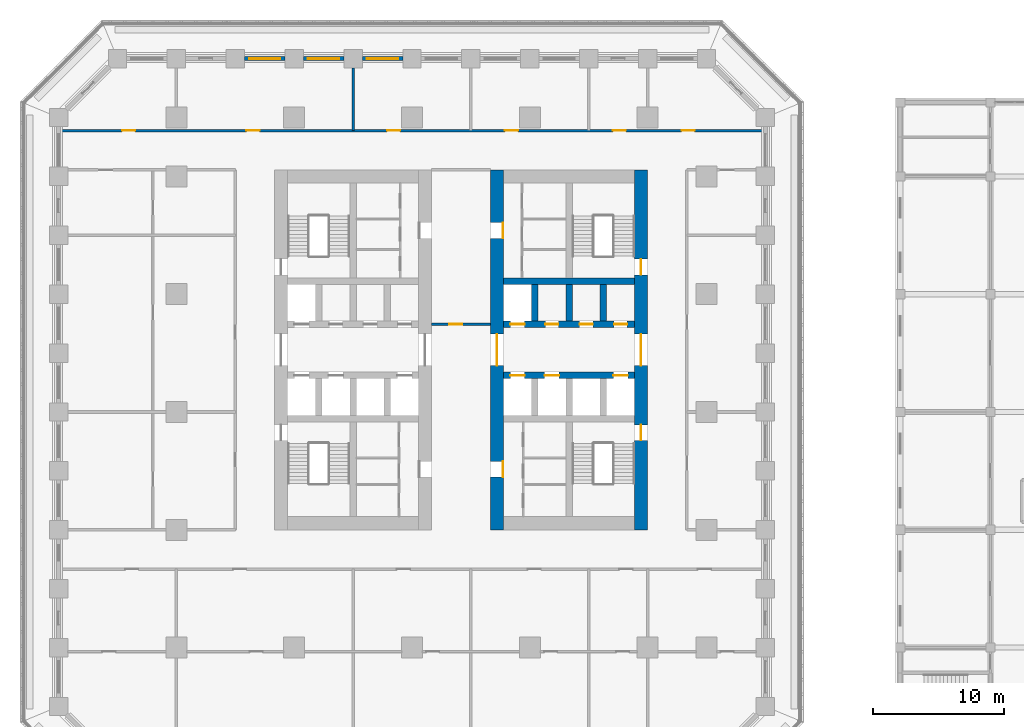
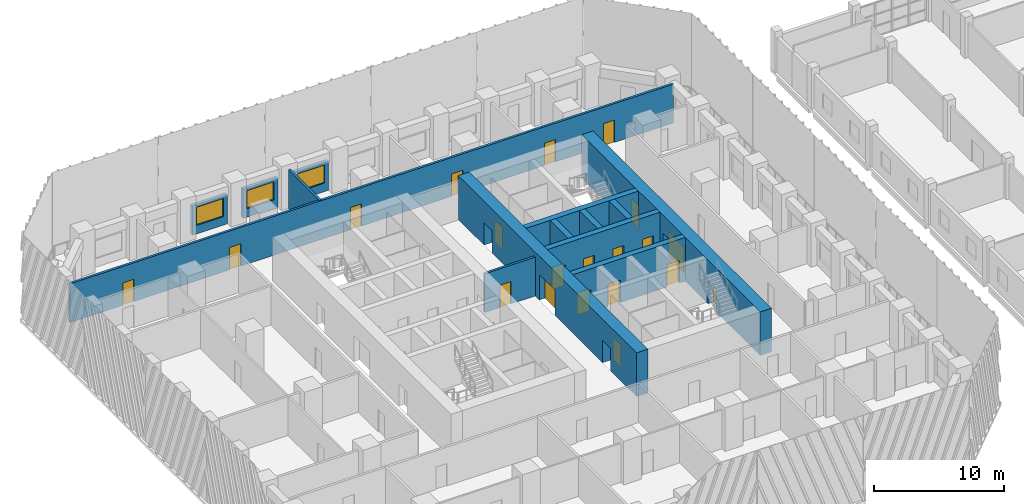
# One storey, part 15 of 31: 20 doors, 14 walls, 3 windows, 23 openings.
"""IFC4 building model written with IfcOpenShell, lengths in metres."""

from ifc_helpers import new_model, si_unit, direction, frame, frame_2d, origin, place, context, subcontext, project, spatial, rectangle, extrude, material, layer, layer_set, type_object, element, fill, save


model = new_model("IFC4")

# Units and contexts
model_context = context("Model", 3, precision=1e-05, world=origin(), true_north=direction((0.0, 1.0)))
body_context = subcontext(model_context, "Body", "Model", "MODEL_VIEW")
ifc_project = project(units=[si_unit("LENGTHUNIT", "METRE"), si_unit("AREAUNIT", "SQUARE_METRE"), si_unit("VOLUMEUNIT", "CUBIC_METRE"), si_unit("PLANEANGLEUNIT", "RADIAN"), si_unit("MASSUNIT", "GRAM", prefix="KILO")], contexts=[model_context])

# Site, building, storey
site_placement = place(None, origin())
site = spatial("IfcSite", under=ifc_project, at=site_placement, CompositionType="ELEMENT")
building_placement = place(site_placement, origin())
building = spatial("IfcBuilding", under=site, at=building_placement, Name="Corbel Stack Research Tower", CompositionType="ELEMENT")
storey_placement = place(building_placement, frame((0.0, 0.0, 15.39990234375)))
storey = spatial("IfcBuildingStorey", under=building, at=storey_placement, Name="L03", CompositionType="ELEMENT", Elevation=15.39990234375)

# Wall, openings, doors
ifc_material_1 = material(Name="Concrete C70/85", Category="concrete")
ifc_layer_1 = layer(ifc_material_1, 1.0)
ifc_layer_set_1 = layer_set([ifc_layer_1], Name="Concrete C70/85")
wall_type_1 = type_object("IfcWallType", Name="CW-1000-70", PredefinedType="SHEAR", material=ifc_layer_set_1)
wall_1_placement = place(storey_placement, frame((6.5, -9.0, 0.0), z_axis=(0.0, 0.0, 1.0), x_axis=(0.0, 1.0, 0.0)))
wall_1 = element("IfcWall", 1, at=wall_1_placement, inside=storey, type_object=wall_type_1, Name="East core wall, west face L03", PredefinedType="SHEAR", context=body_context, shape_type="SweptSolid", body=[
    extrude(rectangle(XDim=27.5, YDim=1.0, at=frame_2d((13.75, 0.0))), origin(), (0.0, 0.0, 1.0), 4.10009765625),
])
opening_1_placement = place(wall_1_placement, frame((12.550048828125, 0.0, 0.0)))
opening_1 = element("IfcOpeningElement", 2, at=opening_1_placement, cuts=wall_1, Name="Opening CD-E-W", PredefinedType="OPENING", context=body_context, shape_type="SweptSolid", body=[
    extrude(rectangle(XDim=2.39990234375, YDim=2.39990234375, at=frame_2d((1.199951171875, 1.199951171875))), frame((0.0, 0.510009765625, 0.0), z_axis=(0.0, -1.0, 0.0), x_axis=(1.0, 0.0, 0.0)), (0.0, 0.0, 1.0), 1.02001953125),
])
opening_2_placement = place(wall_1_placement, frame((4.02490234375, 0.0, 0.0)))
opening_2 = element("IfcOpeningElement", 3, at=opening_2_placement, cuts=wall_1, Name="Opening CR-E12-W1-1200", PredefinedType="OPENING", context=body_context, shape_type="SweptSolid", body=[
    extrude(rectangle(XDim=1.199951171875, YDim=2.10009765625, at=frame_2d((0.60009765625, 1.050048828125))), frame((0.0, 0.510009765625, 0.0), z_axis=(0.0, -1.0, 0.0), x_axis=(1.0, 0.0, 0.0)), (0.0, 0.0, 1.0), 1.02001953125),
])
opening_3_placement = place(wall_1_placement, frame((22.27490234375, 0.0, 0.0)))
opening_3 = element("IfcOpeningElement", 4, at=opening_3_placement, cuts=wall_1, Name="Opening CR-E12-R1-1200", PredefinedType="OPENING", context=body_context, shape_type="SweptSolid", body=[
    extrude(rectangle(XDim=1.199951171875, YDim=2.10009765625, at=frame_2d((0.60009765625, 1.050048828125))), frame((0.0, 0.510009765625, 0.0), z_axis=(0.0, -1.0, 0.0), x_axis=(1.0, 0.0, 0.0)), (0.0, 0.0, 1.0), 1.02001953125),
])
ifc_material_2 = material(Name="Painted steel fire door", Category="steel")
door_type_1 = type_object("IfcDoorType", Name="Lobby door pair 2400 x 2400 FD30S", OperationType="DOUBLE_DOOR_DOUBLE_SWING", PredefinedType="DOOR", material=ifc_material_2)
door_1_placement = place(opening_1_placement, origin())
door_1 = element("IfcDoor", 5, at=door_1_placement, inside=storey, type_object=door_type_1, Name="Lift lobby door E core W", OperationType="DOUBLE_DOOR_DOUBLE_SWING", OverallHeight=2.39990234375, OverallWidth=2.39990234375, PredefinedType="DOOR", context=body_context, shape_type="SweptSolid", body=[
    extrude(rectangle(XDim=2.39990234375, YDim=2.39990234375, at=frame_2d((1.199951171875, 1.199951171875))), frame((0.0, 0.02490234375, 0.0), z_axis=(0.0, -1.0, 0.0), x_axis=(1.0, 0.0, 0.0)), (0.0, 0.0, 1.0), 0.050048828125),
])
fill(opening_1, door_1)
ifc_material_3 = material(Name="Painted steel door", Category="steel")
door_type_2 = type_object("IfcDoorType", Name="Service door 1200 x 2100 FD30 right hand", OperationType="SINGLE_SWING_RIGHT", PredefinedType="DOOR", material=ifc_material_3)
door_2_placement = place(opening_3_placement, origin())
door_2 = element("IfcDoor", 6, at=door_2_placement, inside=storey, type_object=door_type_2, Name="Service passage door E core", OperationType="SINGLE_SWING_RIGHT", OverallHeight=2.10009765625, OverallWidth=1.199951171875, PredefinedType="DOOR", context=body_context, shape_type="SweptSolid", body=[
    extrude(rectangle(XDim=1.199951171875, YDim=2.10009765625, at=frame_2d((0.60009765625, 1.050048828125))), frame((0.0, -0.4248046875, 0.0), z_axis=(0.0, -1.0, 0.0), x_axis=(1.0, 0.0, 0.0)), (0.0, 0.0, 1.0), 0.050048828125),
])
fill(opening_3, door_2)
ifc_material_4 = material(Name="Painted timber door", Category="wood")
door_type_3 = type_object("IfcDoorType", Name="WC door 1200 x 2100 right hand", OperationType="SINGLE_SWING_RIGHT", PredefinedType="DOOR", material=ifc_material_4)
door_3_placement = place(opening_2_placement, origin())
door_3 = element("IfcDoor", 7, at=door_3_placement, inside=storey, type_object=door_type_3, Name="WC lobby door E core", OperationType="SINGLE_SWING_RIGHT", OverallHeight=2.10009765625, OverallWidth=1.199951171875, PredefinedType="DOOR", context=body_context, shape_type="SweptSolid", body=[
    extrude(rectangle(XDim=1.199951171875, YDim=2.10009765625, at=frame_2d((0.60009765625, 1.050048828125))), frame((0.0, -0.4248046875, 0.0), z_axis=(0.0, -1.0, 0.0), x_axis=(1.0, 0.0, 0.0)), (0.0, 0.0, 1.0), 0.050048828125),
])
fill(opening_2, door_3)

wall_2_placement = place(storey_placement, frame((17.5, -9.0, 0.0), z_axis=(0.0, 0.0, 1.0), x_axis=(0.0, 1.0, 0.0)))
wall_2 = element("IfcWall", 8, at=wall_2_placement, inside=storey, type_object=wall_type_1, Name="East core wall, east face L03", PredefinedType="SHEAR", context=body_context, shape_type="SweptSolid", body=[
    extrude(rectangle(XDim=27.5, YDim=1.0, at=frame_2d((13.75, 0.0))), origin(), (0.0, 0.0, 1.0), 4.10009765625),
])
opening_4_placement = place(wall_2_placement, frame((12.550048828125, 0.0, 0.0)))
opening_4 = element("IfcOpeningElement", 9, at=opening_4_placement, cuts=wall_2, Name="Opening CD-E-E", PredefinedType="OPENING", context=body_context, shape_type="SweptSolid", body=[
    extrude(rectangle(XDim=2.39990234375, YDim=2.39990234375, at=frame_2d((1.199951171875, 1.199951171875))), frame((0.0, 0.510009765625, 0.0), z_axis=(0.0, -1.0, 0.0), x_axis=(1.0, 0.0, 0.0)), (0.0, 0.0, 1.0), 1.02001953125),
])
opening_5_placement = place(wall_2_placement, frame((6.824951171875, 0.0, 0.0)))
opening_5 = element("IfcOpeningElement", 10, at=opening_5_placement, cuts=wall_2, Name="Opening SD-ST-E1", PredefinedType="OPENING", context=body_context, shape_type="SweptSolid", body=[
    extrude(rectangle(XDim=1.199951171875, YDim=2.10009765625, at=frame_2d((0.60009765625, 1.050048828125))), frame((0.0, 0.510009765625, 0.0), z_axis=(0.0, -1.0, 0.0), x_axis=(1.0, 0.0, 0.0)), (0.0, 0.0, 1.0), 1.02001953125),
])
opening_6_placement = place(wall_2_placement, frame((19.47509765625, 0.0, 0.0)))
opening_6 = element("IfcOpeningElement", 11, at=opening_6_placement, cuts=wall_2, Name="Opening SD-ST-E2", PredefinedType="OPENING", context=body_context, shape_type="SweptSolid", body=[
    extrude(rectangle(XDim=1.199951171875, YDim=2.10009765625, at=frame_2d((0.60009765625, 1.050048828125))), frame((0.0, 0.510009765625, 0.0), z_axis=(0.0, -1.0, 0.0), x_axis=(1.0, 0.0, 0.0)), (0.0, 0.0, 1.0), 1.02001953125),
])
door_4_placement = place(opening_4_placement, origin())
door_4 = element("IfcDoor", 12, at=door_4_placement, inside=storey, type_object=door_type_1, Name="Lift lobby door E core E", OperationType="DOUBLE_DOOR_DOUBLE_SWING", OverallHeight=2.39990234375, OverallWidth=2.39990234375, PredefinedType="DOOR", context=body_context, shape_type="SweptSolid", body=[
    extrude(rectangle(XDim=2.39990234375, YDim=2.39990234375, at=frame_2d((1.199951171875, 1.199951171875))), frame((0.0, 0.02490234375, 0.0), z_axis=(0.0, -1.0, 0.0), x_axis=(1.0, 0.0, 0.0)), (0.0, 0.0, 1.0), 0.050048828125),
])
fill(opening_4, door_4)
ifc_material_5 = material(Name="Painted steel fire door", Category="steel")
door_type_4 = type_object("IfcDoorType", Name="Stair door 1200 x 2100 FD90 right hand", OperationType="SINGLE_SWING_RIGHT", PredefinedType="DOOR", material=ifc_material_5)
door_5_placement = place(opening_5_placement, frame((1.199951171875, 0.0, 0.0), z_axis=(0.0, 0.0, 1.0), x_axis=(-1.0, 0.0, 0.0)))
door_5 = element("IfcDoor", 13, at=door_5_placement, inside=storey, type_object=door_type_4, Name="Stair door ST-E1", OperationType="SINGLE_SWING_LEFT", OverallHeight=2.10009765625, OverallWidth=1.199951171875, PredefinedType="DOOR", context=body_context, shape_type="SweptSolid", body=[
    extrude(rectangle(XDim=1.199951171875, YDim=2.10009765625, at=frame_2d((0.60009765625, 1.050048828125))), frame((0.0, 0.02490234375, 0.0), z_axis=(0.0, -1.0, 0.0), x_axis=(1.0, 0.0, 0.0)), (0.0, 0.0, 1.0), 0.050048828125),
])
fill(opening_5, door_5)
door_6_placement = place(opening_6_placement, frame((1.199951171875, 0.0, 0.0), z_axis=(0.0, 0.0, 1.0), x_axis=(-1.0, 0.0, 0.0)))
door_6 = element("IfcDoor", 14, at=door_6_placement, inside=storey, type_object=door_type_4, Name="Stair door ST-E2", OperationType="SINGLE_SWING_LEFT", OverallHeight=2.10009765625, OverallWidth=1.199951171875, PredefinedType="DOOR", context=body_context, shape_type="SweptSolid", body=[
    extrude(rectangle(XDim=1.199951171875, YDim=2.10009765625, at=frame_2d((0.60009765625, 1.050048828125))), frame((0.0, 0.02490234375, 0.0), z_axis=(0.0, -1.0, 0.0), x_axis=(1.0, 0.0, 0.0)), (0.0, 0.0, 1.0), 0.050048828125),
])
fill(opening_6, door_6)

ifc_material_6 = material(Name="Concrete C70/85", Category="concrete")
ifc_layer_2 = layer(ifc_material_6, 0.5)
ifc_layer_set_2 = layer_set([ifc_layer_2], Name="Concrete C70/85")
wall_type_2 = type_object("IfcWallType", Name="CW-500-70", PredefinedType="SHEAR", material=ifc_layer_set_2)
wall_3_placement = place(storey_placement, frame((7.0, 2.800048828125, 0.0), z_axis=(0.0, 0.0, 1.0), x_axis=(1.0, 0.0, 0.0)))
wall_3 = element("IfcWall", 15, at=wall_3_placement, inside=storey, type_object=wall_type_2, Name="East core wall, lobby south L03", PredefinedType="SHEAR", context=body_context, shape_type="SweptSolid", body=[
    extrude(rectangle(XDim=10.0, YDim=0.5, at=frame_2d((5.0, 0.0))), origin(), (0.0, 0.0, 1.0), 4.10009765625),
])
opening_7_placement = place(wall_3_placement, frame((0.512451171875, 0.0, 0.0)))
opening_7 = element("IfcOpeningElement", 16, at=opening_7_placement, cuts=wall_3, Name="Opening LD-FS2", PredefinedType="OPENING", context=body_context, shape_type="SweptSolid", body=[
    extrude(rectangle(XDim=1.10009765625, YDim=2.10009765625, at=frame_2d((0.550048828125, 1.050048828125))), frame((0.0, 0.260009765625, 0.0), z_axis=(0.0, -1.0, 0.0), x_axis=(1.0, 0.0, 0.0)), (0.0, 0.0, 1.0), 0.52001953125),
])
opening_8_placement = place(wall_3_placement, frame((3.137451171875, 0.0, 0.0)))
opening_8 = element("IfcOpeningElement", 17, at=opening_8_placement, cuts=wall_3, Name="Opening LD-GL2", PredefinedType="OPENING", context=body_context, shape_type="SweptSolid", body=[
    extrude(rectangle(XDim=1.10009765625, YDim=2.10009765625, at=frame_2d((0.550048828125, 1.050048828125))), frame((0.0, 0.260009765625, 0.0), z_axis=(0.0, -1.0, 0.0), x_axis=(1.0, 0.0, 0.0)), (0.0, 0.0, 1.0), 0.52001953125),
])
opening_9_placement = place(wall_3_placement, frame((8.387451171875, 0.0, 0.0)))
opening_9 = element("IfcOpeningElement", 18, at=opening_9_placement, cuts=wall_3, Name="Opening LD-LR3", PredefinedType="OPENING", context=body_context, shape_type="SweptSolid", body=[
    extrude(rectangle(XDim=1.10009765625, YDim=2.10009765625, at=frame_2d((0.550048828125, 1.050048828125))), frame((0.0, 0.260009765625, 0.0), z_axis=(0.0, -1.0, 0.0), x_axis=(1.0, 0.0, 0.0)), (0.0, 0.0, 1.0), 0.52001953125),
])
ifc_material_7 = material(Name="Stainless steel landing door", Category="steel")
door_type_5 = type_object("IfcDoorType", Name="Lift landing door 1100 x 2100", OperationType="DOUBLE_DOOR_SLIDING", PredefinedType="DOOR", material=ifc_material_7)
door_7_placement = place(opening_7_placement, origin())
door_7 = element("IfcDoor", 19, at=door_7_placement, inside=storey, type_object=door_type_5, Name="Landing door FS2", OperationType="DOUBLE_DOOR_SLIDING", OverallHeight=2.10009765625, OverallWidth=1.10009765625, PredefinedType="DOOR", context=body_context, shape_type="SweptSolid", body=[
    extrude(rectangle(XDim=1.10009765625, YDim=2.10009765625, at=frame_2d((0.550048828125, 1.050048828125))), frame((0.0, 0.02490234375, 0.0), z_axis=(0.0, -1.0, 0.0), x_axis=(1.0, 0.0, 0.0)), (0.0, 0.0, 1.0), 0.050048828125),
])
fill(opening_7, door_7)
door_8_placement = place(opening_8_placement, origin())
door_8 = element("IfcDoor", 20, at=door_8_placement, inside=storey, type_object=door_type_5, Name="Landing door GL2", OperationType="DOUBLE_DOOR_SLIDING", OverallHeight=2.10009765625, OverallWidth=1.10009765625, PredefinedType="DOOR", context=body_context, shape_type="SweptSolid", body=[
    extrude(rectangle(XDim=1.10009765625, YDim=2.10009765625, at=frame_2d((0.550048828125, 1.050048828125))), frame((0.0, 0.02490234375, 0.0), z_axis=(0.0, -1.0, 0.0), x_axis=(1.0, 0.0, 0.0)), (0.0, 0.0, 1.0), 0.050048828125),
])
fill(opening_8, door_8)
door_9_placement = place(opening_9_placement, origin())
door_9 = element("IfcDoor", 21, at=door_9_placement, inside=storey, type_object=door_type_5, Name="Landing door LR3", OperationType="DOUBLE_DOOR_SLIDING", OverallHeight=2.10009765625, OverallWidth=1.10009765625, PredefinedType="DOOR", context=body_context, shape_type="SweptSolid", body=[
    extrude(rectangle(XDim=1.10009765625, YDim=2.10009765625, at=frame_2d((0.550048828125, 1.050048828125))), frame((0.0, 0.02490234375, 0.0), z_axis=(0.0, -1.0, 0.0), x_axis=(1.0, 0.0, 0.0)), (0.0, 0.0, 1.0), 0.050048828125),
])
fill(opening_9, door_9)

wall_4_placement = place(storey_placement, frame((7.0, 6.699951171875, 0.0), z_axis=(0.0, 0.0, 1.0), x_axis=(1.0, 0.0, 0.0)))
wall_4 = element("IfcWall", 22, at=wall_4_placement, inside=storey, type_object=wall_type_2, Name="East core wall, lobby north L03", PredefinedType="SHEAR", context=body_context, shape_type="SweptSolid", body=[
    extrude(rectangle(XDim=10.0, YDim=0.5, at=frame_2d((5.0, 0.0))), origin(), (0.0, 0.0, 1.0), 4.10009765625),
])
opening_10_placement = place(wall_4_placement, frame((0.512451171875, 0.0, 0.0)))
opening_10 = element("IfcOpeningElement", 23, at=opening_10_placement, cuts=wall_4, Name="Opening LD-LR4", PredefinedType="OPENING", context=body_context, shape_type="SweptSolid", body=[
    extrude(rectangle(XDim=1.10009765625, YDim=2.10009765625, at=frame_2d((0.550048828125, 1.050048828125))), frame((0.0, 0.260009765625, 0.0), z_axis=(0.0, -1.0, 0.0), x_axis=(1.0, 0.0, 0.0)), (0.0, 0.0, 1.0), 0.52001953125),
])
opening_11_placement = place(wall_4_placement, frame((3.1875, 0.0, 0.0)))
opening_11 = element("IfcOpeningElement", 24, at=opening_11_placement, cuts=wall_4, Name="Opening CR-E12-N2", PredefinedType="OPENING", context=body_context, shape_type="SweptSolid", body=[
    extrude(rectangle(XDim=1.0, YDim=2.10009765625, at=frame_2d((0.5, 1.050048828125))), frame((0.0, 0.260009765625, 0.0), z_axis=(0.0, -1.0, 0.0), x_axis=(1.0, 0.0, 0.0)), (0.0, 0.0, 1.0), 0.52001953125),
])
opening_12_placement = place(wall_4_placement, frame((5.8125, 0.0, 0.0)))
opening_12 = element("IfcOpeningElement", 25, at=opening_12_placement, cuts=wall_4, Name="Opening CR-E12-N3", PredefinedType="OPENING", context=body_context, shape_type="SweptSolid", body=[
    extrude(rectangle(XDim=1.0, YDim=2.10009765625, at=frame_2d((0.5, 1.050048828125))), frame((0.0, 0.260009765625, 0.0), z_axis=(0.0, -1.0, 0.0), x_axis=(1.0, 0.0, 0.0)), (0.0, 0.0, 1.0), 0.52001953125),
])
opening_13_placement = place(wall_4_placement, frame((8.4375, 0.0, 0.0)))
opening_13 = element("IfcOpeningElement", 26, at=opening_13_placement, cuts=wall_4, Name="Opening CR-E12-N4", PredefinedType="OPENING", context=body_context, shape_type="SweptSolid", body=[
    extrude(rectangle(XDim=1.0, YDim=2.10009765625, at=frame_2d((0.5, 1.050048828125))), frame((0.0, 0.260009765625, 0.0), z_axis=(0.0, -1.0, 0.0), x_axis=(1.0, 0.0, 0.0)), (0.0, 0.0, 1.0), 0.52001953125),
])
door_10_placement = place(opening_10_placement, origin())
door_10 = element("IfcDoor", 27, at=door_10_placement, inside=storey, type_object=door_type_5, Name="Landing door LR4", OperationType="DOUBLE_DOOR_SLIDING", OverallHeight=2.10009765625, OverallWidth=1.10009765625, PredefinedType="DOOR", context=body_context, shape_type="SweptSolid", body=[
    extrude(rectangle(XDim=1.10009765625, YDim=2.10009765625, at=frame_2d((0.550048828125, 1.050048828125))), frame((0.0, 0.02490234375, 0.0), z_axis=(0.0, -1.0, 0.0), x_axis=(1.0, 0.0, 0.0)), (0.0, 0.0, 1.0), 0.050048828125),
])
fill(opening_10, door_10)
ifc_material_8 = material(Name="Painted steel door", Category="steel")
door_type_6 = type_object("IfcDoorType", Name="Service door 1000 x 2100 FD60 left hand", OperationType="SINGLE_SWING_LEFT", PredefinedType="DOOR", material=ifc_material_8)
door_11_placement = place(opening_12_placement, origin())
door_11 = element("IfcDoor", 28, at=door_11_placement, inside=storey, type_object=door_type_6, Name="Electrical room door E core", OperationType="SINGLE_SWING_LEFT", OverallHeight=2.10009765625, OverallWidth=1.0, PredefinedType="DOOR", context=body_context, shape_type="SweptSolid", body=[
    extrude(rectangle(XDim=1.0, YDim=2.10009765625, at=frame_2d((0.5, 1.050048828125))), frame((0.0, 0.02490234375, 0.0), z_axis=(0.0, -1.0, 0.0), x_axis=(1.0, 0.0, 0.0)), (0.0, 0.0, 1.0), 0.050048828125),
])
fill(opening_12, door_11)
ifc_material_9 = material(Name="Painted steel door", Category="steel")
door_type_7 = type_object("IfcDoorType", Name="Service door 1000 x 2100 FD60 right hand", OperationType="SINGLE_SWING_RIGHT", PredefinedType="DOOR", material=ifc_material_9)
door_12_placement = place(opening_11_placement, origin())
door_12 = element("IfcDoor", 29, at=door_12_placement, inside=storey, type_object=door_type_7, Name="Records store door E core", OperationType="SINGLE_SWING_RIGHT", OverallHeight=2.10009765625, OverallWidth=1.0, PredefinedType="DOOR", context=body_context, shape_type="SweptSolid", body=[
    extrude(rectangle(XDim=1.0, YDim=2.10009765625, at=frame_2d((0.5, 1.050048828125))), frame((0.0, 0.02490234375, 0.0), z_axis=(0.0, -1.0, 0.0), x_axis=(1.0, 0.0, 0.0)), (0.0, 0.0, 1.0), 0.050048828125),
])
fill(opening_11, door_12)
door_13_placement = place(opening_13_placement, origin())
door_13 = element("IfcDoor", 30, at=door_13_placement, inside=storey, type_object=door_type_7, Name="Pantry door E core", OperationType="SINGLE_SWING_RIGHT", OverallHeight=2.10009765625, OverallWidth=1.0, PredefinedType="DOOR", context=body_context, shape_type="SweptSolid", body=[
    extrude(rectangle(XDim=1.0, YDim=2.10009765625, at=frame_2d((0.5, 1.050048828125))), frame((0.0, 0.02490234375, 0.0), z_axis=(0.0, -1.0, 0.0), x_axis=(1.0, 0.0, 0.0)), (0.0, 0.0, 1.0), 0.050048828125),
])
fill(opening_13, door_13)

# Walls
wall_5_placement = place(storey_placement, frame((7.0, 10.0, 0.0), z_axis=(0.0, 0.0, 1.0), x_axis=(1.0, 0.0, 0.0)))
element("IfcWall", 31, at=wall_5_placement, inside=storey, type_object=wall_type_2, Name="East core wall, north row back L03", PredefinedType="SHEAR", context=body_context, shape_type="SweptSolid", body=[
    extrude(rectangle(XDim=10.0, YDim=0.5, at=frame_2d((5.0, 0.0))), origin(), (0.0, 0.0, 1.0), 4.10009765625),
])
for number, where, z_axis, x_axis, name in (
    (32, (9.375, 6.949951171875, 0.0), (0.0, 0.0, 1.0), (0.0, 1.0, 0.0), "East core wall, north shaft 1 L03"),
    (33, (12.0, 6.949951171875, 0.0), (0.0, 0.0, 1.0), (0.0, 1.0, 0.0), "East core wall, north shaft 2 L03"),
    (34, (14.625, 6.949951171875, 0.0), (0.0, 0.0, 1.0), (0.0, 1.0, 0.0), "East core wall, north shaft 3 L03"),
):
    element("IfcWall", number, at=place(storey_placement, frame(where, z_axis=z_axis, x_axis=x_axis)), inside=storey, type_object=wall_type_2, Name=name, PredefinedType="SHEAR", context=body_context, shape_type="SweptSolid", body=[
        extrude(rectangle(XDim=2.800048828125, YDim=0.5, at=frame_2d((1.39990234375, 0.0))), origin(), (0.0, 0.0, 1.0), 4.10009765625),
    ])
ifc_material_10 = material(Name="Fire-rated gypsum board partition on steel studs", Category="steel")
ifc_layer_3 = layer(ifc_material_10, 0.199951171875)
ifc_layer_set_3 = layer_set([ifc_layer_3], Name="Fire-rated gypsum board partition on steel studs")
wall_type_3 = type_object("IfcWallType", Name="Fire-rated partition 200 EI 60", PredefinedType="PARTITIONING", material=ifc_layer_set_3)
wall_6_placement = place(storey_placement, frame((-4.5, 21.5, 0.0), z_axis=(0.0, 0.0, 1.0), x_axis=(0.0, 1.0, 0.0)))
element("IfcWall", 35, at=wall_6_placement, inside=storey, type_object=wall_type_3, Name="Partition L03-007", PredefinedType="PARTITIONING", context=body_context, shape_type="SweptSolid", body=[
    extrude(rectangle(XDim=4.800048828125, YDim=0.199951171875, at=frame_2d((2.39990234375, 0.0))), origin(), (0.0, 0.0, 1.0), 3.650146484375),
])

# Wall, opening, door
wall_7_placement = place(storey_placement, frame((1.5, 6.699951171875, 0.0), z_axis=(0.0, 0.0, 1.0), x_axis=(1.0, 0.0, 0.0)))
wall_7 = element("IfcWall", 36, at=wall_7_placement, inside=storey, type_object=wall_type_3, Name="Partition L03-032", PredefinedType="PARTITIONING", context=body_context, shape_type="SweptSolid", body=[
    extrude(rectangle(XDim=4.5, YDim=0.199951171875, at=frame_2d((2.25, 0.0))), origin(), (0.0, 0.0, 1.0), 3.650146484375),
])
opening_14_placement = place(wall_7_placement, frame((1.35009765625, 0.0, 0.0)))
opening_14 = element("IfcOpeningElement", 37, at=opening_14_placement, cuts=wall_7, Name="Opening B1V0-018", PredefinedType="OPENING", context=body_context, shape_type="SweptSolid", body=[
    extrude(rectangle(XDim=1.0, YDim=2.10009765625, at=frame_2d((0.5, 1.050048828125))), frame((0.0, 0.10986328125, 0.0), z_axis=(0.0, -1.0, 0.0), x_axis=(1.0, 0.0, 0.0)), (0.0, 0.0, 1.0), 0.219970703125),
])
ifc_material_11 = material(Name="Painted steel fire door", Category="steel")
door_type_8 = type_object("IfcDoorType", Name="Fire door FD30S 1000 x 2100", OperationType="NOTDEFINED", PredefinedType="DOOR", material=ifc_material_11)
door_14_placement = place(opening_14_placement, origin())
door_14 = element("IfcDoor", 38, at=door_14_placement, inside=storey, type_object=door_type_8, Name="Door B1V0-018", OperationType="SINGLE_SWING_LEFT", OverallHeight=2.10009765625, OverallWidth=1.0, PredefinedType="DOOR", context=body_context, shape_type="SweptSolid", body=[
    extrude(rectangle(XDim=1.0, YDim=2.10009765625, at=frame_2d((0.5, 1.050048828125))), frame((0.0, 0.02490234375, 0.0), z_axis=(0.0, -1.0, 0.0), x_axis=(1.0, 0.0, 0.0)), (0.0, 0.0, 1.0), 0.050048828125),
])
fill(opening_14, door_14)

# Wall, openings, doors
wall_8_placement = place(storey_placement, frame((-26.85009765625, 21.5, 0.0), z_axis=(0.0, 0.0, 1.0), x_axis=(1.0, 0.0, 0.0)))
wall_8 = element("IfcWall", 39, at=wall_8_placement, inside=storey, type_object=wall_type_3, Name="Partition L03-040", PredefinedType="PARTITIONING", context=body_context, shape_type="SweptSolid", body=[
    extrude(rectangle(XDim=53.7001953125, YDim=0.199951171875, at=frame_2d((26.85009765625, 0.0))), origin(), (0.0, 0.0, 1.0), 3.650146484375),
])
opening_15_placement = place(wall_8_placement, frame((4.699951171875, 0.0, 0.0)))
opening_15 = element("IfcOpeningElement", 40, at=opening_15_placement, cuts=wall_8, Name="Opening B1V0-023", PredefinedType="OPENING", context=body_context, shape_type="SweptSolid", body=[
    extrude(rectangle(XDim=1.0, YDim=2.10009765625, at=frame_2d((0.5, 1.050048828125))), frame((0.0, 0.10986328125, 0.0), z_axis=(0.0, -1.0, 0.0), x_axis=(1.0, 0.0, 0.0)), (0.0, 0.0, 1.0), 0.219970703125),
])
opening_16_placement = place(wall_8_placement, frame((14.199951171875, 0.0, 0.0)))
opening_16 = element("IfcOpeningElement", 41, at=opening_16_placement, cuts=wall_8, Name="Opening B1V0-024", PredefinedType="OPENING", context=body_context, shape_type="SweptSolid", body=[
    extrude(rectangle(XDim=1.0, YDim=2.10009765625, at=frame_2d((0.5, 1.050048828125))), frame((0.0, 0.10986328125, 0.0), z_axis=(0.0, -1.0, 0.0), x_axis=(1.0, 0.0, 0.0)), (0.0, 0.0, 1.0), 0.219970703125),
])
opening_17_placement = place(wall_8_placement, frame((24.949951171875, 0.0, 0.0)))
opening_17 = element("IfcOpeningElement", 42, at=opening_17_placement, cuts=wall_8, Name="Opening B1V0-025", PredefinedType="OPENING", context=body_context, shape_type="SweptSolid", body=[
    extrude(rectangle(XDim=1.0, YDim=2.10009765625, at=frame_2d((0.5, 1.050048828125))), frame((0.0, 0.10986328125, 0.0), z_axis=(0.0, -1.0, 0.0), x_axis=(1.0, 0.0, 0.0)), (0.0, 0.0, 1.0), 0.219970703125),
])
opening_18_placement = place(wall_8_placement, frame((33.949951171875, 0.0, 0.0)))
opening_18 = element("IfcOpeningElement", 43, at=opening_18_placement, cuts=wall_8, Name="Opening B1V0-026", PredefinedType="OPENING", context=body_context, shape_type="SweptSolid", body=[
    extrude(rectangle(XDim=1.0, YDim=2.10009765625, at=frame_2d((0.5, 1.050048828125))), frame((0.0, 0.10986328125, 0.0), z_axis=(0.0, -1.0, 0.0), x_axis=(1.0, 0.0, 0.0)), (0.0, 0.0, 1.0), 0.219970703125),
])
opening_19_placement = place(wall_8_placement, frame((42.199951171875, 0.0, 0.0)))
opening_19 = element("IfcOpeningElement", 44, at=opening_19_placement, cuts=wall_8, Name="Opening B1V0-027", PredefinedType="OPENING", context=body_context, shape_type="SweptSolid", body=[
    extrude(rectangle(XDim=1.0, YDim=2.10009765625, at=frame_2d((0.5, 1.050048828125))), frame((0.0, 0.10986328125, 0.0), z_axis=(0.0, -1.0, 0.0), x_axis=(1.0, 0.0, 0.0)), (0.0, 0.0, 1.0), 0.219970703125),
])
opening_20_placement = place(wall_8_placement, frame((47.449951171875, 0.0, 0.0)))
opening_20 = element("IfcOpeningElement", 45, at=opening_20_placement, cuts=wall_8, Name="Opening B1V0-028", PredefinedType="OPENING", context=body_context, shape_type="SweptSolid", body=[
    extrude(rectangle(XDim=1.0, YDim=2.10009765625, at=frame_2d((0.5, 1.050048828125))), frame((0.0, 0.10986328125, 0.0), z_axis=(0.0, -1.0, 0.0), x_axis=(1.0, 0.0, 0.0)), (0.0, 0.0, 1.0), 0.219970703125),
])
door_15_placement = place(opening_15_placement, origin())
door_15 = element("IfcDoor", 46, at=door_15_placement, inside=storey, type_object=door_type_8, Name="Door B1V0-023", OperationType="SINGLE_SWING_LEFT", OverallHeight=2.10009765625, OverallWidth=1.0, PredefinedType="DOOR", context=body_context, shape_type="SweptSolid", body=[
    extrude(rectangle(XDim=1.0, YDim=2.10009765625, at=frame_2d((0.5, 1.050048828125))), frame((0.0, 0.02490234375, 0.0), z_axis=(0.0, -1.0, 0.0), x_axis=(1.0, 0.0, 0.0)), (0.0, 0.0, 1.0), 0.050048828125),
])
fill(opening_15, door_15)
door_16_placement = place(opening_16_placement, origin())
door_16 = element("IfcDoor", 47, at=door_16_placement, inside=storey, type_object=door_type_8, Name="Door B1V0-024", OperationType="SINGLE_SWING_LEFT", OverallHeight=2.10009765625, OverallWidth=1.0, PredefinedType="DOOR", context=body_context, shape_type="SweptSolid", body=[
    extrude(rectangle(XDim=1.0, YDim=2.10009765625, at=frame_2d((0.5, 1.050048828125))), frame((0.0, 0.02490234375, 0.0), z_axis=(0.0, -1.0, 0.0), x_axis=(1.0, 0.0, 0.0)), (0.0, 0.0, 1.0), 0.050048828125),
])
fill(opening_16, door_16)
door_17_placement = place(opening_17_placement, origin())
door_17 = element("IfcDoor", 48, at=door_17_placement, inside=storey, type_object=door_type_8, Name="Door B1V0-025", OperationType="SINGLE_SWING_LEFT", OverallHeight=2.10009765625, OverallWidth=1.0, PredefinedType="DOOR", context=body_context, shape_type="SweptSolid", body=[
    extrude(rectangle(XDim=1.0, YDim=2.10009765625, at=frame_2d((0.5, 1.050048828125))), frame((0.0, 0.02490234375, 0.0), z_axis=(0.0, -1.0, 0.0), x_axis=(1.0, 0.0, 0.0)), (0.0, 0.0, 1.0), 0.050048828125),
])
fill(opening_17, door_17)
door_18_placement = place(opening_18_placement, origin())
door_18 = element("IfcDoor", 49, at=door_18_placement, inside=storey, type_object=door_type_8, Name="Door B1V0-026", OperationType="SINGLE_SWING_RIGHT", OverallHeight=2.10009765625, OverallWidth=1.0, PredefinedType="DOOR", context=body_context, shape_type="SweptSolid", body=[
    extrude(rectangle(XDim=1.0, YDim=2.10009765625, at=frame_2d((0.5, 1.050048828125))), frame((0.0, 0.02490234375, 0.0), z_axis=(0.0, -1.0, 0.0), x_axis=(1.0, 0.0, 0.0)), (0.0, 0.0, 1.0), 0.050048828125),
])
fill(opening_18, door_18)
door_19_placement = place(opening_19_placement, origin())
door_19 = element("IfcDoor", 50, at=door_19_placement, inside=storey, type_object=door_type_8, Name="Door B1V0-027", OperationType="SINGLE_SWING_RIGHT", OverallHeight=2.10009765625, OverallWidth=1.0, PredefinedType="DOOR", context=body_context, shape_type="SweptSolid", body=[
    extrude(rectangle(XDim=1.0, YDim=2.10009765625, at=frame_2d((0.5, 1.050048828125))), frame((0.0, 0.02490234375, 0.0), z_axis=(0.0, -1.0, 0.0), x_axis=(1.0, 0.0, 0.0)), (0.0, 0.0, 1.0), 0.050048828125),
])
fill(opening_19, door_19)
door_20_placement = place(opening_20_placement, origin())
door_20 = element("IfcDoor", 51, at=door_20_placement, inside=storey, type_object=door_type_8, Name="Door B1V0-028", OperationType="SINGLE_SWING_RIGHT", OverallHeight=2.10009765625, OverallWidth=1.0, PredefinedType="DOOR", context=body_context, shape_type="SweptSolid", body=[
    extrude(rectangle(XDim=1.0, YDim=2.10009765625, at=frame_2d((0.5, 1.050048828125))), frame((0.0, 0.02490234375, 0.0), z_axis=(0.0, -1.0, 0.0), x_axis=(1.0, 0.0, 0.0)), (0.0, 0.0, 1.0), 0.050048828125),
])
fill(opening_20, door_20)

# Wall, opening, window
ifc_material_12 = material(Name="Concrete C45/55", Category="concrete")
ifc_layer_4 = layer(ifc_material_12, 0.300048828125)
ifc_layer_set_4 = layer_set([ifc_layer_4], Name="Concrete C45/55")
wall_type_4 = type_object("IfcWallType", Name="Terracotta-faced concrete wall 300", PredefinedType="SOLIDWALL", material=ifc_layer_set_4)
wall_9_placement = place(storey_placement, frame((-3.800048828125, 27.0, 0.0), z_axis=(0.0, 0.0, 1.0), x_axis=(1.0, 0.0, 0.0)))
wall_9 = element("IfcWall", 52, at=wall_9_placement, inside=storey, type_object=wall_type_4, Name="Facade wall L03 N06", PredefinedType="SOLIDWALL", context=body_context, shape_type="SweptSolid", body=[
    extrude(rectangle(XDim=3.10009765625, YDim=0.300048828125, at=frame_2d((1.550048828125, 0.0))), origin(), (0.0, 0.0, 1.0), 2.75),
])
opening_21_placement = place(wall_9_placement, frame((0.35009765625, 0.0, 0.800048828125)))
opening_21 = element("IfcOpeningElement", 53, at=opening_21_placement, cuts=wall_9, Name="Opening W1", PredefinedType="OPENING", context=body_context, shape_type="SweptSolid", body=[
    extrude(rectangle(XDim=2.39990234375, YDim=1.699951171875, at=frame_2d((1.199951171875, 0.85009765625))), frame((0.0, 0.159912109375, 0.0), z_axis=(0.0, -1.0, 0.0), x_axis=(1.0, 0.0, 0.0)), (0.0, 0.0, 1.0), 0.320068359375),
])
ifc_material_13 = material(Name="Aluminium frame, clear double glazing", Category="aluminium")
window_type = type_object("IfcWindowType", Name="Window W1 2400 x 1700", PartitioningType="SINGLE_PANEL", PredefinedType="WINDOW", material=ifc_material_13)
window_1_placement = place(opening_21_placement, origin())
window_1 = element("IfcWindow", 54, at=window_1_placement, inside=storey, type_object=window_type, Name="Window W1 L03 N06", OverallHeight=1.699951171875, OverallWidth=2.39990234375, PartitioningType="SINGLE_PANEL", PredefinedType="WINDOW", context=body_context, shape_type="SweptSolid", body=[
    extrude(rectangle(XDim=2.39990234375, YDim=1.699951171875, at=frame_2d((1.199951171875, 0.85009765625))), frame((0.0, 0.030029296875, 0.0), z_axis=(0.0, -1.0, 0.0), x_axis=(1.0, 0.0, 0.0)), (0.0, 0.0, 1.0), 0.06005859375),
])
fill(opening_21, window_1)

wall_10_placement = place(storey_placement, frame((-8.300048828125, 27.0, 0.0), z_axis=(0.0, 0.0, 1.0), x_axis=(1.0, 0.0, 0.0)))
wall_10 = element("IfcWall", 55, at=wall_10_placement, inside=storey, type_object=wall_type_4, Name="Facade wall L03 N07", PredefinedType="SOLIDWALL", context=body_context, shape_type="SweptSolid", body=[
    extrude(rectangle(XDim=3.10009765625, YDim=0.300048828125, at=frame_2d((1.550048828125, 0.0))), origin(), (0.0, 0.0, 1.0), 2.75),
])
opening_22_placement = place(wall_10_placement, frame((0.35009765625, 0.0, 0.800048828125)))
opening_22 = element("IfcOpeningElement", 56, at=opening_22_placement, cuts=wall_10, Name="Opening W1", PredefinedType="OPENING", context=body_context, shape_type="SweptSolid", body=[
    extrude(rectangle(XDim=2.39990234375, YDim=1.699951171875, at=frame_2d((1.199951171875, 0.85009765625))), frame((0.0, 0.159912109375, 0.0), z_axis=(0.0, -1.0, 0.0), x_axis=(1.0, 0.0, 0.0)), (0.0, 0.0, 1.0), 0.320068359375),
])
window_2_placement = place(opening_22_placement, origin())
window_2 = element("IfcWindow", 57, at=window_2_placement, inside=storey, type_object=window_type, Name="Window W1 L03 N07", OverallHeight=1.699951171875, OverallWidth=2.39990234375, PartitioningType="SINGLE_PANEL", PredefinedType="WINDOW", context=body_context, shape_type="SweptSolid", body=[
    extrude(rectangle(XDim=2.39990234375, YDim=1.699951171875, at=frame_2d((1.199951171875, 0.85009765625))), frame((0.0, 0.030029296875, 0.0), z_axis=(0.0, -1.0, 0.0), x_axis=(1.0, 0.0, 0.0)), (0.0, 0.0, 1.0), 0.06005859375),
])
fill(opening_22, window_2)

wall_11_placement = place(storey_placement, frame((-12.800048828125, 27.0, 0.0), z_axis=(0.0, 0.0, 1.0), x_axis=(1.0, 0.0, 0.0)))
wall_11 = element("IfcWall", 58, at=wall_11_placement, inside=storey, type_object=wall_type_4, Name="Facade wall L03 N08", PredefinedType="SOLIDWALL", context=body_context, shape_type="SweptSolid", body=[
    extrude(rectangle(XDim=3.10009765625, YDim=0.300048828125, at=frame_2d((1.550048828125, 0.0))), origin(), (0.0, 0.0, 1.0), 2.75),
])
opening_23_placement = place(wall_11_placement, frame((0.35009765625, 0.0, 0.800048828125)))
opening_23 = element("IfcOpeningElement", 59, at=opening_23_placement, cuts=wall_11, Name="Opening W1", PredefinedType="OPENING", context=body_context, shape_type="SweptSolid", body=[
    extrude(rectangle(XDim=2.39990234375, YDim=1.699951171875, at=frame_2d((1.199951171875, 0.85009765625))), frame((0.0, 0.159912109375, 0.0), z_axis=(0.0, -1.0, 0.0), x_axis=(1.0, 0.0, 0.0)), (0.0, 0.0, 1.0), 0.320068359375),
])
window_3_placement = place(opening_23_placement, origin())
window_3 = element("IfcWindow", 60, at=window_3_placement, inside=storey, type_object=window_type, Name="Window W1 L03 N08", OverallHeight=1.699951171875, OverallWidth=2.39990234375, PartitioningType="SINGLE_PANEL", PredefinedType="WINDOW", context=body_context, shape_type="SweptSolid", body=[
    extrude(rectangle(XDim=2.39990234375, YDim=1.699951171875, at=frame_2d((1.199951171875, 0.85009765625))), frame((0.0, 0.030029296875, 0.0), z_axis=(0.0, -1.0, 0.0), x_axis=(1.0, 0.0, 0.0)), (0.0, 0.0, 1.0), 0.06005859375),
])
fill(opening_23, window_3)

save(model, "model.ifc")
